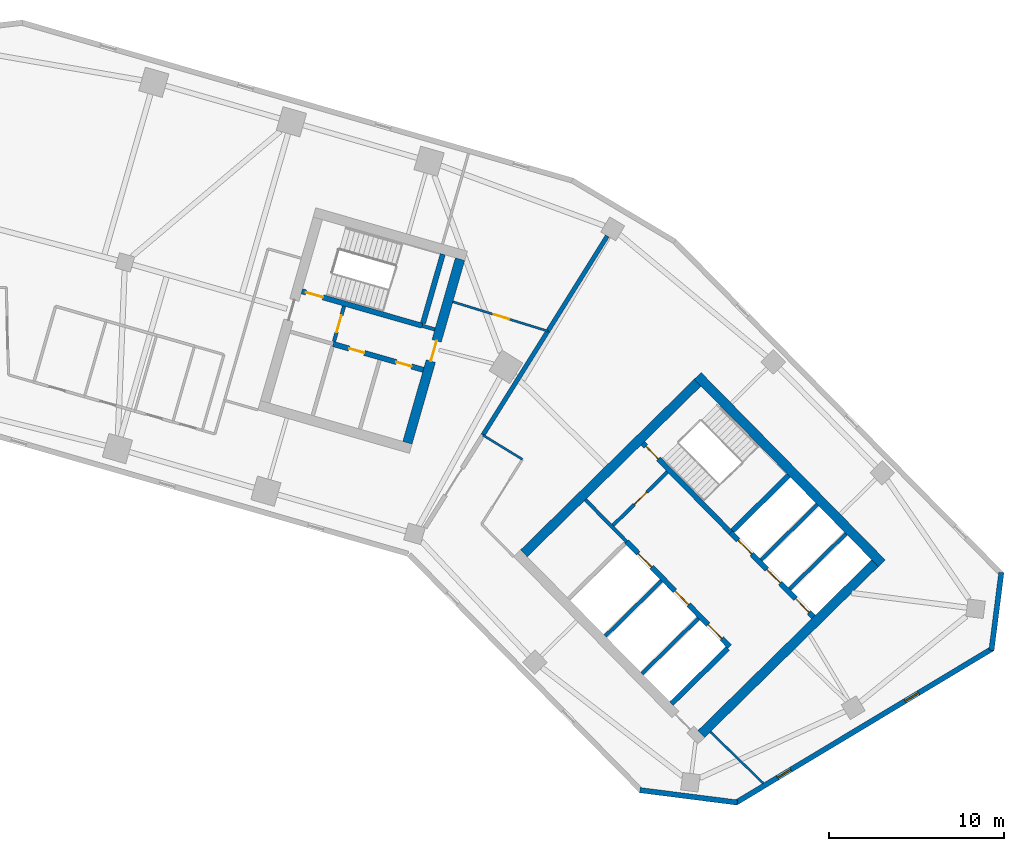
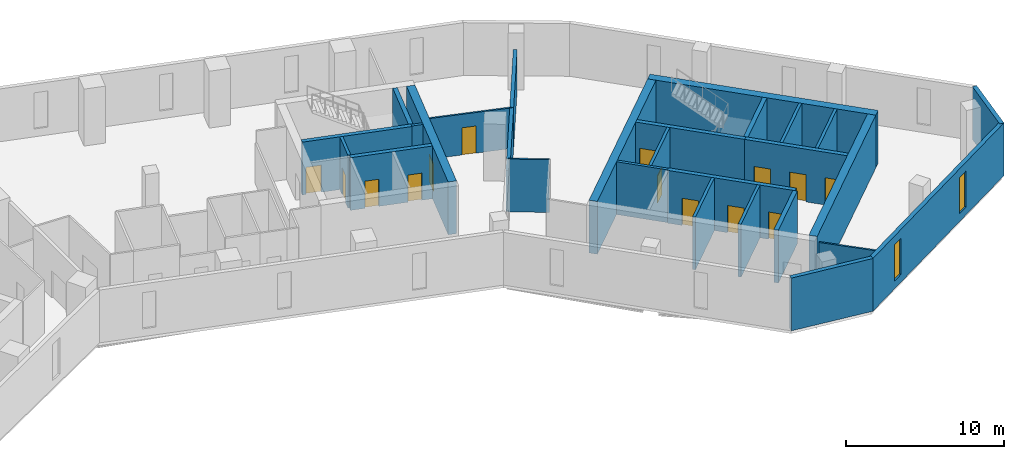
# One storey, part 6 of 10: 28 walls, 14 doors, 2 windows, 16 openings.
"""IFC4 building model written with IfcOpenShell, lengths in metres."""

from ifc_helpers import new_model, si_unit, direction, frame, frame_2d, origin, place, context, subcontext, project, spatial, rectangle, extrude, material, layer, layer_set, type_object, element, fill, save


model = new_model("IFC4")

# Units and contexts
model_context = context("Model", 3, precision=1e-05, world=origin(), true_north=direction((0.0, 1.0)))
body_context = subcontext(model_context, "Body", "Model", "MODEL_VIEW")
ifc_project = project(units=[si_unit("LENGTHUNIT", "METRE"), si_unit("AREAUNIT", "SQUARE_METRE"), si_unit("VOLUMEUNIT", "CUBIC_METRE"), si_unit("PLANEANGLEUNIT", "RADIAN"), si_unit("MASSUNIT", "GRAM", prefix="KILO")], contexts=[model_context])

# Site, building, storey
site_placement = place(None, origin())
site = spatial("IfcSite", under=ifc_project, at=site_placement, CompositionType="ELEMENT")
building_placement = place(site_placement, origin())
building = spatial("IfcBuilding", under=site, at=building_placement, Name="Binnacle Exchange Tower", CompositionType="ELEMENT")
storey_placement = place(building_placement, frame((0.0, 0.0, 127.89990234375)))
storey = spatial("IfcBuildingStorey", under=building, at=storey_placement, Name="L26", CompositionType="ELEMENT", Elevation=127.89990234375)

# Wall, openings, doors
ifc_material_1 = material(Name="Concrete C70/85", Category="concrete")
ifc_layer_1 = layer(ifc_material_1, 0.300048828125)
ifc_layer_set_1 = layer_set([ifc_layer_1], Name="Core wall - front 300")
wall_type_1 = type_object("IfcWallType", Name="Core wall - front 300", PredefinedType="SOLIDWALL", material=ifc_layer_set_1)
wall_1_placement = place(storey_placement, frame((37.8740234375, 41.41552734375, 0.0), z_axis=(0.0, 0.0, 1.0), x_axis=(0.700918271237, -0.71324159795, 0.0)))
wall_1 = element("IfcWall", 1, at=wall_1_placement, inside=storey, type_object=wall_type_1, Name="Core wall CRWB3", PredefinedType="SOLIDWALL", context=body_context, shape_type="SweptSolid", body=[
    extrude(rectangle(XDim=8.39990234375, YDim=0.300048828125, at=frame_2d((4.199951171875, 0.0))), origin(), (0.0, 0.0, 1.0), 4.080078125),
])
opening_1_placement = place(wall_1_placement, frame((0.949951171875, 0.0, 0.0)))
opening_1 = element("IfcOpeningElement", 2, at=opening_1_placement, cuts=wall_1, Name="Opening LD15", PredefinedType="OPENING", context=body_context, shape_type="SweptSolid", body=[
    extrude(rectangle(XDim=1.10009765625, YDim=2.10009765625, at=frame_2d((0.550048828125, 1.050048828125))), frame((0.0, 0.159912109375, 0.0), z_axis=(0.0, -1.0, 0.0), x_axis=(1.0, 0.0, 0.0)), (0.0, 0.0, 1.0), 0.320068359375),
])
opening_2_placement = place(wall_1_placement, frame((3.949951171875, 0.0, 0.0)))
opening_2 = element("IfcOpeningElement", 3, at=opening_2_placement, cuts=wall_1, Name="Opening LD16", PredefinedType="OPENING", context=body_context, shape_type="SweptSolid", body=[
    extrude(rectangle(XDim=1.10009765625, YDim=2.10009765625, at=frame_2d((0.550048828125, 1.050048828125))), frame((0.0, 0.159912109375, 0.0), z_axis=(0.0, -1.0, 0.0), x_axis=(1.0, 0.0, 0.0)), (0.0, 0.0, 1.0), 0.320068359375),
])
opening_3_placement = place(wall_1_placement, frame((6.64990234375, 0.0, 0.0)))
opening_3 = element("IfcOpeningElement", 4, at=opening_3_placement, cuts=wall_1, Name="Opening LD4", PredefinedType="OPENING", context=body_context, shape_type="SweptSolid", body=[
    extrude(rectangle(XDim=1.10009765625, YDim=2.10009765625, at=frame_2d((0.550048828125, 1.050048828125))), frame((0.0, 0.159912109375, 0.0), z_axis=(0.0, -1.0, 0.0), x_axis=(1.0, 0.0, 0.0)), (0.0, 0.0, 1.0), 0.320068359375),
])
ifc_material_2 = material(Name="Steel door leaf", Category="steel")
door_type_1 = type_object("IfcDoorType", Name="Fire door - lift landing 1100", OperationType="NOTDEFINED", PredefinedType="DOOR", material=ifc_material_2)
door_1_placement = place(opening_1_placement, origin())
door_1 = element("IfcDoor", 5, at=door_1_placement, inside=storey, type_object=door_type_1, Name="Landing door LD15 L26", OperationType="DOUBLE_DOOR_SLIDING", OverallHeight=2.10009765625, OverallWidth=1.10009765625, PredefinedType="DOOR", context=body_context, shape_type="SweptSolid", body=[
    extrude(rectangle(XDim=1.10009765625, YDim=2.10009765625, at=frame_2d((0.550048828125, 1.050048828125))), frame((0.0, 0.02490234375, 0.0), z_axis=(0.0, -1.0, 0.0), x_axis=(1.0, 0.0, 0.0)), (0.0, 0.0, 1.0), 0.050048828125),
])
fill(opening_1, door_1)
door_2_placement = place(opening_2_placement, origin())
door_2 = element("IfcDoor", 6, at=door_2_placement, inside=storey, type_object=door_type_1, Name="Landing door LD16 L26", OperationType="DOUBLE_DOOR_SLIDING", OverallHeight=2.10009765625, OverallWidth=1.10009765625, PredefinedType="DOOR", context=body_context, shape_type="SweptSolid", body=[
    extrude(rectangle(XDim=1.10009765625, YDim=2.10009765625, at=frame_2d((0.550048828125, 1.050048828125))), frame((0.0, 0.02490234375, 0.0), z_axis=(0.0, -1.0, 0.0), x_axis=(1.0, 0.0, 0.0)), (0.0, 0.0, 1.0), 0.050048828125),
])
fill(opening_2, door_2)
door_3_placement = place(opening_3_placement, origin())
door_3 = element("IfcDoor", 7, at=door_3_placement, inside=storey, type_object=door_type_1, Name="Landing door LD4 L26", OperationType="DOUBLE_DOOR_SLIDING", OverallHeight=2.10009765625, OverallWidth=1.10009765625, PredefinedType="DOOR", context=body_context, shape_type="SweptSolid", body=[
    extrude(rectangle(XDim=1.10009765625, YDim=2.10009765625, at=frame_2d((0.550048828125, 1.050048828125))), frame((0.0, 0.02490234375, 0.0), z_axis=(0.0, -1.0, 0.0), x_axis=(1.0, 0.0, 0.0)), (0.0, 0.0, 1.0), 0.050048828125),
])
fill(opening_3, door_3)

wall_2_placement = place(storey_placement, frame((43.818603515625, 41.92919921875, 0.0), z_axis=(0.0, 0.0, 1.0), x_axis=(0.700931209592, -0.713228882912, 0.0)))
wall_2 = element("IfcWall", 8, at=wall_2_placement, inside=storey, type_object=wall_type_1, Name="Core wall CRWB5", PredefinedType="SOLIDWALL", context=body_context, shape_type="SweptSolid", body=[
    extrude(rectangle(XDim=6.75, YDim=0.300048828125, at=frame_2d((3.375, 0.0))), origin(), (0.0, 0.0, 1.0), 4.080078125),
])
opening_4_placement = place(wall_2_placement, frame((0.614990234375, 0.0, 0.0)))
opening_4 = element("IfcOpeningElement", 9, at=opening_4_placement, cuts=wall_2, Name="Opening LD1", PredefinedType="OPENING", context=body_context, shape_type="SweptSolid", body=[
    extrude(rectangle(XDim=1.10009765625, YDim=2.10009765625, at=frame_2d((0.550048828125, 1.050048828125))), frame((0.0, 0.159912109375, 0.0), z_axis=(0.0, -1.0, 0.0), x_axis=(1.0, 0.0, 0.0)), (0.0, 0.0, 1.0), 0.320068359375),
])
opening_5_placement = place(wall_2_placement, frame((2.945068359375, 0.0, 0.0)))
opening_5 = element("IfcOpeningElement", 10, at=opening_5_placement, cuts=wall_2, Name="Opening LD2", PredefinedType="OPENING", context=body_context, shape_type="SweptSolid", body=[
    extrude(rectangle(XDim=1.10009765625, YDim=2.10009765625, at=frame_2d((0.550048828125, 1.050048828125))), frame((0.0, 0.159912109375, 0.0), z_axis=(0.0, -1.0, 0.0), x_axis=(1.0, 0.0, 0.0)), (0.0, 0.0, 1.0), 0.320068359375),
])
opening_6_placement = place(wall_2_placement, frame((5.280029296875, 0.0, 0.0)))
opening_6 = element("IfcOpeningElement", 11, at=opening_6_placement, cuts=wall_2, Name="Opening LD3", PredefinedType="OPENING", context=body_context, shape_type="SweptSolid", body=[
    extrude(rectangle(XDim=1.10009765625, YDim=2.10009765625, at=frame_2d((0.550048828125, 1.050048828125))), frame((0.0, 0.159912109375, 0.0), z_axis=(0.0, -1.0, 0.0), x_axis=(1.0, 0.0, 0.0)), (0.0, 0.0, 1.0), 0.320068359375),
])
door_4_placement = place(opening_4_placement, origin())
door_4 = element("IfcDoor", 12, at=door_4_placement, inside=storey, type_object=door_type_1, Name="Landing door LD1 L26", OperationType="DOUBLE_DOOR_SLIDING", OverallHeight=2.10009765625, OverallWidth=1.10009765625, PredefinedType="DOOR", context=body_context, shape_type="SweptSolid", body=[
    extrude(rectangle(XDim=1.10009765625, YDim=2.10009765625, at=frame_2d((0.550048828125, 1.050048828125))), frame((0.0, 0.02490234375, 0.0), z_axis=(0.0, -1.0, 0.0), x_axis=(1.0, 0.0, 0.0)), (0.0, 0.0, 1.0), 0.050048828125),
])
fill(opening_4, door_4)
door_5_placement = place(opening_5_placement, origin())
door_5 = element("IfcDoor", 13, at=door_5_placement, inside=storey, type_object=door_type_1, Name="Landing door LD2 L26", OperationType="DOUBLE_DOOR_SLIDING", OverallHeight=2.10009765625, OverallWidth=1.10009765625, PredefinedType="DOOR", context=body_context, shape_type="SweptSolid", body=[
    extrude(rectangle(XDim=1.10009765625, YDim=2.10009765625, at=frame_2d((0.550048828125, 1.050048828125))), frame((0.0, 0.02490234375, 0.0), z_axis=(0.0, -1.0, 0.0), x_axis=(1.0, 0.0, 0.0)), (0.0, 0.0, 1.0), 0.050048828125),
])
fill(opening_5, door_5)
door_6_placement = place(opening_6_placement, origin())
door_6 = element("IfcDoor", 14, at=door_6_placement, inside=storey, type_object=door_type_1, Name="Landing door LD3 L26", OperationType="DOUBLE_DOOR_SLIDING", OverallHeight=2.10009765625, OverallWidth=1.10009765625, PredefinedType="DOOR", context=body_context, shape_type="SweptSolid", body=[
    extrude(rectangle(XDim=1.10009765625, YDim=2.10009765625, at=frame_2d((0.550048828125, 1.050048828125))), frame((0.0, 0.02490234375, 0.0), z_axis=(0.0, -1.0, 0.0), x_axis=(1.0, 0.0, 0.0)), (0.0, 0.0, 1.0), 0.050048828125),
])
fill(opening_6, door_6)

# Wall
wall_3_placement = place(storey_placement, frame((40.445068359375, 32.1650390625, 0.0), z_axis=(0.0, 0.0, 1.0), x_axis=(0.713264577552, 0.700894886848, 0.0)))
element("IfcWall", 15, at=wall_3_placement, inside=storey, type_object=wall_type_1, Name="Core wall CRWB14", PredefinedType="SOLIDWALL", context=body_context, shape_type="SweptSolid", body=[
    extrude(rectangle(XDim=4.5, YDim=0.300048828125, at=frame_2d((2.25, 0.0))), origin(), (0.0, 0.0, 1.0), 4.080078125),
])

# Wall, openings, doors
wall_4_placement = place(storey_placement, frame((21.130859375, 52.6923828125, 0.0), z_axis=(0.0, 0.0, 1.0), x_axis=(0.961265220997, -0.27562506218, 0.0)))
wall_4 = element("IfcWall", 16, at=wall_4_placement, inside=storey, type_object=wall_type_1, Name="Core wall CRWD3", PredefinedType="SOLIDWALL", context=body_context, shape_type="SweptSolid", body=[
    extrude(rectangle(XDim=5.35009765625, YDim=0.300048828125, at=frame_2d((2.675048828125, 0.0))), origin(), (0.0, 0.0, 1.0), 4.080078125),
])
opening_7_placement = place(wall_4_placement, frame((0.949951171875, 0.0, 0.0)))
opening_7 = element("IfcOpeningElement", 17, at=opening_7_placement, cuts=wall_4, Name="Opening DD10", PredefinedType="OPENING", context=body_context, shape_type="SweptSolid", body=[
    extrude(rectangle(XDim=0.89990234375, YDim=2.10009765625, at=frame_2d((0.449951171875, 1.050048828125))), frame((0.0, 0.159912109375, 0.0), z_axis=(0.0, -1.0, 0.0), x_axis=(1.0, 0.0, 0.0)), (0.0, 0.0, 1.0), 0.320068359375),
])
opening_8_placement = place(wall_4_placement, frame((3.75, 0.0, 0.0)))
opening_8 = element("IfcOpeningElement", 18, at=opening_8_placement, cuts=wall_4, Name="Opening DD11", PredefinedType="OPENING", context=body_context, shape_type="SweptSolid", body=[
    extrude(rectangle(XDim=0.89990234375, YDim=2.10009765625, at=frame_2d((0.449951171875, 1.050048828125))), frame((0.0, 0.159912109375, 0.0), z_axis=(0.0, -1.0, 0.0), x_axis=(1.0, 0.0, 0.0)), (0.0, 0.0, 1.0), 0.320068359375),
])
door_type_2 = type_object("IfcDoorType", Name="Fire door 900", OperationType="NOTDEFINED", PredefinedType="DOOR", material=ifc_material_2)
door_7_placement = place(opening_7_placement, frame((0.89990234375, 0.0, 0.0), z_axis=(0.0, 0.0, 1.0), x_axis=(-1.0, 0.0, 0.0)))
door_7 = element("IfcDoor", 19, at=door_7_placement, inside=storey, type_object=door_type_2, Name="Core room door FIBRE ENTRY ROOM", OperationType="SINGLE_SWING_RIGHT", OverallHeight=2.10009765625, OverallWidth=0.89990234375, PredefinedType="DOOR", context=body_context, shape_type="SweptSolid", body=[
    extrude(rectangle(XDim=0.89990234375, YDim=2.10009765625, at=frame_2d((0.449951171875, 1.050048828125))), frame((0.0, 0.02490234375, 0.0), z_axis=(0.0, -1.0, 0.0), x_axis=(1.0, 0.0, 0.0)), (0.0, 0.0, 1.0), 0.050048828125),
])
fill(opening_7, door_7)
door_8_placement = place(opening_8_placement, frame((0.89990234375, 0.0, 0.0), z_axis=(0.0, 0.0, 1.0), x_axis=(-1.0, 0.0, 0.0)))
door_8 = element("IfcDoor", 20, at=door_8_placement, inside=storey, type_object=door_type_2, Name="Core room door ELECTRICAL ROOM", OperationType="SINGLE_SWING_LEFT", OverallHeight=2.10009765625, OverallWidth=0.89990234375, PredefinedType="DOOR", context=body_context, shape_type="SweptSolid", body=[
    extrude(rectangle(XDim=0.89990234375, YDim=2.10009765625, at=frame_2d((0.449951171875, 1.050048828125))), frame((0.0, 0.02490234375, 0.0), z_axis=(0.0, -1.0, 0.0), x_axis=(1.0, 0.0, 0.0)), (0.0, 0.0, 1.0), 0.050048828125),
])
fill(opening_8, door_8)

# Walls
ifc_layer_2 = layer(ifc_material_1, 0.550048828125)
ifc_layer_set_2 = layer_set([ifc_layer_2], Name="Core wall - outer 550")
wall_type_2 = type_object("IfcWallType", Name="Core wall - outer 550", PredefinedType="SOLIDWALL", material=ifc_layer_set_2)
wall_5_placement = place(storey_placement, frame((41.934326171875, 50.873291015625, 0.0), z_axis=(0.0, 0.0, 1.0), x_axis=(0.700911255944, -0.713248491965, 0.0)))
element("IfcWall", 21, at=wall_5_placement, inside=storey, type_object=wall_type_2, Name="Core wall CRWB6", PredefinedType="SOLIDWALL", context=body_context, shape_type="SweptSolid", body=[
    extrude(rectangle(XDim=15.0, YDim=0.550048828125, at=frame_2d((7.5, 0.0))), origin(), (0.0, 0.0, 1.0), 4.080078125),
])
for number, where, z_axis, x_axis, name in (
    (22, (32.0166015625, 40.74169921875, 0.0), (0.0, 0.0, 1.0), (0.713253550094, 0.700906108746, 0.0), "Core wall CRWB7"),
    (23, (42.144775390625, 30.435302734375, 0.0), (0.0, 0.0, 1.0), (0.713253550094, 0.700906108746, 0.0), "Core wall CRWB16"),
):
    element("IfcWall", number, at=place(storey_placement, frame(where, z_axis=z_axis, x_axis=x_axis)), inside=storey, type_object=wall_type_2, Name=name, PredefinedType="SOLIDWALL", context=body_context, shape_type="SweptSolid", body=[
        extrude(rectangle(XDim=13.900146484375, YDim=0.550048828125, at=frame_2d((6.9501953125, 0.0))), origin(), (0.0, 0.0, 1.0), 4.080078125),
    ])

# Wall, opening, door
wall_6_placement = place(storey_placement, frame((25.366455078125, 47.056640625, 0.0), z_axis=(0.0, 0.0, 1.0), x_axis=(0.275632146085, 0.96126318979, 0.0)))
wall_6 = element("IfcWall", 24, at=wall_6_placement, inside=storey, type_object=wall_type_2, Name="Core wall CRWD12", PredefinedType="SOLIDWALL", context=body_context, shape_type="SweptSolid", body=[
    extrude(rectangle(XDim=10.89990234375, YDim=0.550048828125, at=frame_2d((5.449951171875, 0.0))), origin(), (0.0, 0.0, 1.0), 4.080078125),
])
opening_9_placement = place(wall_6_placement, frame((4.849853515625, 0.0, 0.0)))
opening_9 = element("IfcOpeningElement", 25, at=opening_9_placement, cuts=wall_6, Name="Opening DD6", PredefinedType="OPENING", context=body_context, shape_type="SweptSolid", body=[
    extrude(rectangle(XDim=1.199951171875, YDim=2.10009765625, at=frame_2d((0.60009765625, 1.050048828125))), frame((0.0, 0.284912109375, 0.0), z_axis=(0.0, -1.0, 0.0), x_axis=(1.0, 0.0, 0.0)), (0.0, 0.0, 1.0), 0.570068359375),
])
door_type_3 = type_object("IfcDoorType", Name="Fire door 1200", OperationType="NOTDEFINED", PredefinedType="DOOR", material=ifc_material_2)
door_9_placement = place(opening_9_placement, frame((1.199951171875, 0.0, 0.0), z_axis=(0.0, 0.0, 1.0), x_axis=(-1.0, 0.0, 0.0)))
door_9 = element("IfcDoor", 26, at=door_9_placement, inside=storey, type_object=door_type_3, Name="Core passage exit door", OperationType="SINGLE_SWING_RIGHT", OverallHeight=2.10009765625, OverallWidth=1.199951171875, PredefinedType="DOOR", context=body_context, shape_type="SweptSolid", body=[
    extrude(rectangle(XDim=1.199951171875, YDim=2.10009765625, at=frame_2d((0.60009765625, 1.050048828125))), frame((0.0, 0.02490234375, 0.0), z_axis=(0.0, -1.0, 0.0), x_axis=(1.0, 0.0, 0.0)), (0.0, 0.0, 1.0), 0.050048828125),
])
fill(opening_9, door_9)

ifc_layer_3 = layer(ifc_material_1, 0.300048828125)
ifc_layer_set_3 = layer_set([ifc_layer_3], Name="Core wall - stair 300")
wall_type_3 = type_object("IfcWallType", Name="Core wall - stair 300", PredefinedType="SOLIDWALL", material=ifc_layer_set_3)
wall_7_placement = place(storey_placement, frame((38.806884765625, 47.029052734375, 0.0), z_axis=(0.0, 0.0, 1.0), x_axis=(0.700916852778, -0.713242991898, 0.0)))
wall_7 = element("IfcWall", 27, at=wall_7_placement, inside=storey, type_object=wall_type_3, Name="Core wall CRWB4", PredefinedType="SOLIDWALL", context=body_context, shape_type="SweptSolid", body=[
    extrude(rectangle(XDim=7.150146484375, YDim=0.300048828125, at=frame_2d((3.5751953125, 0.0))), origin(), (0.0, 0.0, 1.0), 4.080078125),
])
opening_10_placement = place(wall_7_placement, frame((0.25, 0.0, 0.0)))
opening_10 = element("IfcOpeningElement", 28, at=opening_10_placement, cuts=wall_7, Name="Opening DB1", PredefinedType="OPENING", context=body_context, shape_type="SweptSolid", body=[
    extrude(rectangle(XDim=1.0, YDim=2.10009765625, at=frame_2d((0.5, 1.050048828125))), frame((0.0, 0.159912109375, 0.0), z_axis=(0.0, -1.0, 0.0), x_axis=(1.0, 0.0, 0.0)), (0.0, 0.0, 1.0), 0.320068359375),
])
door_type_4 = type_object("IfcDoorType", Name="Fire door 1000", OperationType="NOTDEFINED", PredefinedType="DOOR", material=ifc_material_2)
door_10_placement = place(opening_10_placement, origin())
door_10 = element("IfcDoor", 29, at=door_10_placement, inside=storey, type_object=door_type_4, Name="Stair door ST-B1", OperationType="SINGLE_SWING_LEFT", OverallHeight=2.10009765625, OverallWidth=1.0, PredefinedType="DOOR", context=body_context, shape_type="SweptSolid", body=[
    extrude(rectangle(XDim=1.0, YDim=2.10009765625, at=frame_2d((0.5, 1.050048828125))), frame((0.0, 0.02490234375, 0.0), z_axis=(0.0, -1.0, 0.0), x_axis=(1.0, 0.0, 0.0)), (0.0, 0.0, 1.0), 0.050048828125),
])
fill(opening_10, door_10)

# Wall
wall_8_placement = place(storey_placement, frame((43.925537109375, 42.034423828125, 0.0), z_axis=(0.0, 0.0, 1.0), x_axis=(0.713210801054, 0.700949608217, 0.0)))
element("IfcWall", 30, at=wall_8_placement, inside=storey, type_object=wall_type_3, Name="Core wall CRWB11", PredefinedType="SOLIDWALL", context=body_context, shape_type="SweptSolid", body=[
    extrude(rectangle(XDim=4.5, YDim=0.300048828125, at=frame_2d((2.25, 0.0))), origin(), (0.0, 0.0, 1.0), 4.080078125),
])

# Wall, opening, door
wall_9_placement = place(storey_placement, frame((19.34130859375, 55.702392578125, 0.0), z_axis=(0.0, 0.0, 1.0), x_axis=(0.961263228157, -0.27563201228, 0.0)))
wall_9 = element("IfcWall", 31, at=wall_9_placement, inside=storey, type_object=wall_type_3, Name="Core wall CRWD4", PredefinedType="SOLIDWALL", context=body_context, shape_type="SweptSolid", body=[
    extrude(rectangle(XDim=7.149658203125, YDim=0.300048828125, at=frame_2d((3.57470703125, 0.0))), origin(), (0.0, 0.0, 1.0), 4.080078125),
])
opening_11_placement = place(wall_9_placement, frame((0.25, 0.0, 0.0)))
opening_11 = element("IfcOpeningElement", 32, at=opening_11_placement, cuts=wall_9, Name="Opening DD1", PredefinedType="OPENING", context=body_context, shape_type="SweptSolid", body=[
    extrude(rectangle(XDim=1.0, YDim=2.10009765625, at=frame_2d((0.5, 1.050048828125))), frame((0.0, 0.159912109375, 0.0), z_axis=(0.0, -1.0, 0.0), x_axis=(1.0, 0.0, 0.0)), (0.0, 0.0, 1.0), 0.320068359375),
])
door_11_placement = place(opening_11_placement, origin())
door_11 = element("IfcDoor", 33, at=door_11_placement, inside=storey, type_object=door_type_4, Name="Stair door ST-D1", OperationType="SINGLE_SWING_LEFT", OverallHeight=2.10009765625, OverallWidth=1.0, PredefinedType="DOOR", context=body_context, shape_type="SweptSolid", body=[
    extrude(rectangle(XDim=1.0, YDim=2.10009765625, at=frame_2d((0.5, 1.050048828125))), frame((0.0, 0.02490234375, 0.0), z_axis=(0.0, -1.0, 0.0), x_axis=(1.0, 0.0, 0.0)), (0.0, 0.0, 1.0), 0.050048828125),
])
fill(opening_11, door_11)

# Walls
wall_10_placement = place(storey_placement, frame((26.255615234375, 53.875732421875, 0.0), z_axis=(0.0, 0.0, 1.0), x_axis=(0.275641165445, 0.961260603537, 0.0)))
element("IfcWall", 34, at=wall_10_placement, inside=storey, type_object=wall_type_3, Name="Core wall CRWD11", PredefinedType="SOLIDWALL", context=body_context, shape_type="SweptSolid", body=[
    extrude(rectangle(XDim=4.10009765625, YDim=0.300048828125, at=frame_2d((2.050048828125, 0.0))), origin(), (0.0, 0.0, 1.0), 4.080078125),
])
ifc_material_3 = material(Name="Bronze aluminium cladding", Category="aluminium")
ifc_layer_4 = layer(ifc_material_3, 0.300048828125)
ifc_layer_set_4 = layer_set([ifc_layer_4], Name="External wall - spandrel 300")
wall_type_4 = type_object("IfcWallType", Name="External wall - spandrel 300", PredefinedType="STANDARD", material=ifc_layer_set_4)
wall_11_placement = place(storey_placement, frame((44.19580078125, 26.517822265625, 0.0), z_axis=(0.0, 0.0, 1.0), x_axis=(-0.992001881269, 0.126223086474, 0.0)))
element("IfcWall", 35, at=wall_11_placement, inside=storey, type_object=wall_type_4, Name="External wall EW-F10 L26", PredefinedType="STANDARD", context=body_context, shape_type="SweptSolid", body=[
    extrude(rectangle(XDim=5.6015625, YDim=0.300048828125, at=frame_2d((2.80078125, 0.0))), origin(), (0.0, 0.0, 1.0), 4.080078125),
])

# Wall, openings, windows
wall_12_placement = place(storey_placement, frame((58.7783203125, 35.317626953125, 0.0), z_axis=(0.0, 0.0, 1.0), x_axis=(-0.857168206138, -0.515036568009, 0.0)))
wall_12 = element("IfcWall", 36, at=wall_12_placement, inside=storey, type_object=wall_type_4, Name="External wall EW-F11 L26", PredefinedType="STANDARD", context=body_context, shape_type="SweptSolid", body=[
    extrude(rectangle(XDim=17.124755859375, YDim=0.300048828125, at=frame_2d((8.5625, 0.0))), origin(), (0.0, 0.0, 1.0), 4.080078125),
])
opening_12_placement = place(wall_12_placement, frame((13.435302734375, 0.0, 0.60009765625)))
opening_12 = element("IfcOpeningElement", 37, at=opening_12_placement, cuts=wall_12, Name="Opening WS2", PredefinedType="OPENING", context=body_context, shape_type="SweptSolid", body=[
    extrude(rectangle(XDim=0.89990234375, YDim=2.800048828125, at=frame_2d((0.449951171875, 1.39990234375))), frame((0.0, 0.159912109375, 0.0), z_axis=(0.0, -1.0, 0.0), x_axis=(1.0, 0.0, 0.0)), (0.0, 0.0, 1.0), 0.320068359375),
])
opening_13_placement = place(wall_12_placement, frame((4.935302734375, 0.0, 0.60009765625)))
opening_13 = element("IfcOpeningElement", 38, at=opening_13_placement, cuts=wall_12, Name="Opening WS2", PredefinedType="OPENING", context=body_context, shape_type="SweptSolid", body=[
    extrude(rectangle(XDim=0.89990234375, YDim=2.800048828125, at=frame_2d((0.449951171875, 1.39990234375))), frame((0.0, 0.159912109375, 0.0), z_axis=(0.0, -1.0, 0.0), x_axis=(1.0, 0.0, 0.0)), (0.0, 0.0, 1.0), 0.320068359375),
])
ifc_material_4 = material(Name="Bronze anodised aluminium frame", Category="aluminium")
window_type = type_object("IfcWindowType", Name="WS2 WINDOW 900x2800", PartitioningType="SINGLE_PANEL", PredefinedType="WINDOW", material=ifc_material_4)
window_1_placement = place(opening_12_placement, origin())
window_1 = element("IfcWindow", 39, at=window_1_placement, inside=storey, type_object=window_type, Name="Window WS2 L26", OverallHeight=2.800048828125, OverallWidth=0.89990234375, PartitioningType="SINGLE_PANEL", PredefinedType="WINDOW", context=body_context, shape_type="SweptSolid", body=[
    extrude(rectangle(XDim=0.89990234375, YDim=2.800048828125, at=frame_2d((0.449951171875, 1.39990234375))), frame((0.0, 0.030029296875, 0.0), z_axis=(0.0, -1.0, 0.0), x_axis=(1.0, 0.0, 0.0)), (0.0, 0.0, 1.0), 0.06005859375),
])
fill(opening_12, window_1)
window_2_placement = place(opening_13_placement, origin())
window_2 = element("IfcWindow", 40, at=window_2_placement, inside=storey, type_object=window_type, Name="Window WS2 L26", OverallHeight=2.800048828125, OverallWidth=0.89990234375, PartitioningType="SINGLE_PANEL", PredefinedType="WINDOW", context=body_context, shape_type="SweptSolid", body=[
    extrude(rectangle(XDim=0.89990234375, YDim=2.800048828125, at=frame_2d((0.449951171875, 1.39990234375))), frame((0.0, 0.030029296875, 0.0), z_axis=(0.0, -1.0, 0.0), x_axis=(1.0, 0.0, 0.0)), (0.0, 0.0, 1.0), 0.06005859375),
])
fill(opening_13, window_2)

# Walls
wall_13_placement = place(storey_placement, frame((59.27197265625, 39.6513671875, 0.0), z_axis=(0.0, 0.0, 1.0), x_axis=(-0.126181137886, -0.992007217938, 0.0)))
element("IfcWall", 41, at=wall_13_placement, inside=storey, type_object=wall_type_4, Name="External wall EW-F12 L26", PredefinedType="STANDARD", context=body_context, shape_type="SweptSolid", body=[
    extrude(rectangle(XDim=4.479248046875, YDim=0.300048828125, at=frame_2d((2.23974609375, 0.0))), origin(), (0.0, 0.0, 1.0), 4.080078125),
])
ifc_material_5 = material(Name="Concrete fire wall C30/37", Category="concrete")
ifc_layer_5 = layer(ifc_material_5, 0.25)
ifc_layer_set_5 = layer_set([ifc_layer_5], Name="Fire wall - compartment 250")
wall_type_5 = type_object("IfcWallType", Name="Fire wall - compartment 250", PredefinedType="PARTITIONING", material=ifc_layer_set_5)
wall_14_placement = place(storey_placement, frame((29.675048828125, 47.490966796875, 0.0), z_axis=(0.0, 0.0, 1.0), x_axis=(0.529992669945, 0.848002222759, 0.0)))
element("IfcWall", 42, at=wall_14_placement, inside=storey, type_object=wall_type_5, Name="Fire Wall W38", PredefinedType="PARTITIONING", context=body_context, shape_type="SweptSolid", body=[
    extrude(rectangle(XDim=7.0, YDim=0.25, at=frame_2d((3.5, 0.0))), origin(), (0.0, 0.0, 1.0), 3.14208984375),
])
wall_15_placement = place(storey_placement, frame((33.385009765625, 53.427001953125, 0.0), z_axis=(0.0, 0.0, 1.0), x_axis=(0.52989620904, 0.848062502204, 0.0)))
element("IfcWall", 43, at=wall_15_placement, inside=storey, type_object=wall_type_5, Name="Fire Wall W39", PredefinedType="PARTITIONING", context=body_context, shape_type="SweptSolid", body=[
    extrude(rectangle(XDim=6.40869140625, YDim=0.25, at=frame_2d((3.204345703125, 0.0))), origin(), (0.0, 0.0, 1.0), 3.14208984375),
])

# Wall, opening, door
ifc_material_6 = material(Name="Masonry block wall", Category="masonry")
ifc_layer_6 = layer(ifc_material_6, 0.199951171875)
ifc_layer_set_6 = layer_set([ifc_layer_6], Name="Fire wall - vestibule 200")
wall_type_6 = type_object("IfcWallType", Name="Fire wall - vestibule 200", PredefinedType="PARTITIONING", material=ifc_layer_set_6)
wall_16_placement = place(storey_placement, frame((37.104248046875, 42.341552734375, 0.0), z_axis=(0.0, 0.0, 1.0), x_axis=(0.713281298468, 0.700877870428, 0.0)))
wall_16 = element("IfcWall", 44, at=wall_16_placement, inside=storey, type_object=wall_type_6, Name="Core wall CRWB8", PredefinedType="PARTITIONING", context=body_context, shape_type="SweptSolid", body=[
    extrude(rectangle(XDim=4.35009765625, YDim=0.199951171875, at=frame_2d((2.175048828125, 0.0))), origin(), (0.0, 0.0, 1.0), 4.080078125),
])
opening_14_placement = place(wall_16_placement, frame((1.699951171875, 0.0, 0.0)))
opening_14 = element("IfcOpeningElement", 45, at=opening_14_placement, cuts=wall_16, Name="Opening DB3", PredefinedType="OPENING", context=body_context, shape_type="SweptSolid", body=[
    extrude(rectangle(XDim=1.0, YDim=2.10009765625, at=frame_2d((0.5, 1.050048828125))), frame((0.0, 0.10986328125, 0.0), z_axis=(0.0, -1.0, 0.0), x_axis=(1.0, 0.0, 0.0)), (0.0, 0.0, 1.0), 0.219970703125),
])
door_12_placement = place(opening_14_placement, origin())
door_12 = element("IfcDoor", 46, at=door_12_placement, inside=storey, type_object=door_type_4, Name="Vestibule door VEST-W", OperationType="SINGLE_SWING_RIGHT", OverallHeight=2.10009765625, OverallWidth=1.0, PredefinedType="DOOR", context=body_context, shape_type="SweptSolid", body=[
    extrude(rectangle(XDim=1.0, YDim=2.10009765625, at=frame_2d((0.5, 1.050048828125))), frame((0.0, 0.02490234375, 0.0), z_axis=(0.0, -1.0, 0.0), x_axis=(1.0, 0.0, 0.0)), (0.0, 0.0, 1.0), 0.050048828125),
])
fill(opening_14, door_12)

wall_17_placement = place(storey_placement, frame((21.172119140625, 52.836669921875, 0.0), z_axis=(0.0, 0.0, 1.0), x_axis=(0.275657676022, 0.961255868981, 0.0)))
wall_17 = element("IfcWall", 47, at=wall_17_placement, inside=storey, type_object=wall_type_6, Name="Core wall CRWD9", PredefinedType="PARTITIONING", context=body_context, shape_type="SweptSolid", body=[
    extrude(rectangle(XDim=2.099853515625, YDim=0.199951171875, at=frame_2d((1.0498046875, 0.0))), origin(), (0.0, 0.0, 1.0), 4.080078125),
])
opening_15_placement = place(wall_17_placement, frame((0.550048828125, 0.0, 0.0)))
opening_15 = element("IfcOpeningElement", 48, at=opening_15_placement, cuts=wall_17, Name="Opening DD3", PredefinedType="OPENING", context=body_context, shape_type="SweptSolid", body=[
    extrude(rectangle(XDim=1.0, YDim=2.10009765625, at=frame_2d((0.5, 1.050048828125))), frame((0.0, 0.10986328125, 0.0), z_axis=(0.0, -1.0, 0.0), x_axis=(1.0, 0.0, 0.0)), (0.0, 0.0, 1.0), 0.219970703125),
])
door_13_placement = place(opening_15_placement, origin())
door_13 = element("IfcDoor", 49, at=door_13_placement, inside=storey, type_object=door_type_4, Name="Vestibule door VEST-W", OperationType="SINGLE_SWING_RIGHT", OverallHeight=2.10009765625, OverallWidth=1.0, PredefinedType="DOOR", context=body_context, shape_type="SweptSolid", body=[
    extrude(rectangle(XDim=1.0, YDim=2.10009765625, at=frame_2d((0.5, 1.050048828125))), frame((0.0, 0.02490234375, 0.0), z_axis=(0.0, -1.0, 0.0), x_axis=(1.0, 0.0, 0.0)), (0.0, 0.0, 1.0), 0.050048828125),
])
fill(opening_15, door_13)

ifc_material_7 = material(Name="Gypsum partition")
ifc_layer_7 = layer(ifc_material_7, 0.125)
ifc_layer_set_7 = layer_set([ifc_layer_7], Name="Partition 125")
wall_type_7 = type_object("IfcWallType", Name="Partition 125", PredefinedType="PARTITIONING", material=ifc_layer_set_7)
wall_18_placement = place(storey_placement, frame((27.9599609375, 55.10302734375, 0.0), z_axis=(0.0, 0.0, 1.0), x_axis=(0.955442775069, -0.29517639399, 0.0)))
wall_18 = element("IfcWall", 50, at=wall_18_placement, inside=storey, type_object=wall_type_7, Name="Partition W34", PredefinedType="PARTITIONING", context=body_context, shape_type="SweptSolid", body=[
    extrude(rectangle(XDim=5.677978515625, YDim=0.125, at=frame_2d((2.8388671875, 0.0))), origin(), (0.0, 0.0, 1.0), 3.14208984375),
])
opening_16_placement = place(wall_18_placement, frame((2.449951171875, 0.0, 0.0)))
opening_16 = element("IfcOpeningElement", 51, at=opening_16_placement, cuts=wall_18, Name="Opening DL25-08", PredefinedType="OPENING", context=body_context, shape_type="SweptSolid", body=[
    extrude(rectangle(XDim=0.89990234375, YDim=2.10009765625, at=frame_2d((0.449951171875, 1.050048828125))), frame((0.0, 0.072509765625, 0.0), z_axis=(0.0, -1.0, 0.0), x_axis=(1.0, 0.0, 0.0)), (0.0, 0.0, 1.0), 0.14501953125),
])
ifc_material_8 = material(Name="Timber door leaf", Category="wood")
door_type_5 = type_object("IfcDoorType", Name="Door 900", OperationType="NOTDEFINED", PredefinedType="DOOR", material=ifc_material_8)
door_14_placement = place(opening_16_placement, origin())
door_14 = element("IfcDoor", 52, at=door_14_placement, inside=storey, type_object=door_type_5, Name="Door DL25-08", OperationType="SINGLE_SWING_RIGHT", OverallHeight=2.10009765625, OverallWidth=0.89990234375, PredefinedType="DOOR", context=body_context, shape_type="SweptSolid", body=[
    extrude(rectangle(XDim=0.89990234375, YDim=2.10009765625, at=frame_2d((0.449951171875, 1.050048828125))), frame((0.0, 0.02490234375, 0.0), z_axis=(0.0, -1.0, 0.0), x_axis=(1.0, 0.0, 0.0)), (0.0, 0.0, 1.0), 0.050048828125),
])
fill(opening_16, door_14)

# Walls
wall_19_placement = place(storey_placement, frame((29.675048828125, 47.490966796875, 0.0), z_axis=(0.0, 0.0, 1.0), x_axis=(0.852591965232, -0.522577210392, 0.0)))
element("IfcWall", 53, at=wall_19_placement, inside=storey, type_object=wall_type_7, Name="Partition W37", PredefinedType="PARTITIONING", context=body_context, shape_type="SweptSolid", body=[
    extrude(rectangle(XDim=2.644775390625, YDim=0.125, at=frame_2d((1.322265625, 0.0))), origin(), (0.0, 0.0, 1.0), 4.080078125),
])
wall_20_placement = place(storey_placement, frame((42.658935546875, 30.554931640625, 0.0), z_axis=(0.0, 0.0, 1.0), x_axis=(0.716925671772, -0.697149611743, 0.0)))
element("IfcWall", 54, at=wall_20_placement, inside=storey, type_object=wall_type_7, Name="Partition W40", PredefinedType="PARTITIONING", context=body_context, shape_type="SweptSolid", body=[
    extrude(rectangle(XDim=4.209716796875, YDim=0.125, at=frame_2d((2.10498046875, 0.0))), origin(), (0.0, 0.0, 1.0), 3.35205078125),
])
ifc_layer_8 = layer(ifc_material_6, 0.199951171875)
ifc_layer_set_8 = layer_set([ifc_layer_8], Name="Riser wall 200")
wall_type_8 = type_object("IfcWallType", Name="Riser wall 200", PredefinedType="SOLIDWALL", material=ifc_layer_set_8)
wall_21_placement = place(storey_placement, frame((35.526123046875, 43.804931640625, 0.0), z_axis=(0.0, 0.0, 1.0), x_axis=(0.700884863746, -0.713274426691, 0.0)))
element("IfcWall", 55, at=wall_21_placement, inside=storey, type_object=wall_type_8, Name="Core wall CRWB2", PredefinedType="SOLIDWALL", context=body_context, shape_type="SweptSolid", body=[
    extrude(rectangle(XDim=3.349853515625, YDim=0.199951171875, at=frame_2d((1.6748046875, 0.0))), origin(), (0.0, 0.0, 1.0), 4.080078125),
])
wall_22_placement = place(storey_placement, frame((26.214111328125, 53.731689453125, 0.0), z_axis=(0.0, 0.0, 1.0), x_axis=(0.961240918172, -0.275709806194, 0.0)))
element("IfcWall", 56, at=wall_22_placement, inside=storey, type_object=wall_type_8, Name="Core wall CRWD5", PredefinedType="SOLIDWALL", context=body_context, shape_type="SweptSolid", body=[
    extrude(rectangle(XDim=0.75, YDim=0.199951171875, at=frame_2d((0.375, 0.0))), origin(), (0.0, 0.0, 1.0), 4.080078125),
])
ifc_layer_9 = layer(ifc_material_6, 0.199951171875)
ifc_layer_set_9 = layer_set([ifc_layer_9], Name="Shaft wall 200")
wall_type_9 = type_object("IfcWallType", Name="Shaft wall 200", PredefinedType="SOLIDWALL", material=ifc_layer_set_9)
wall_23_placement = place(storey_placement, frame((36.66015625, 36.0166015625, 0.0), z_axis=(0.0, 0.0, 1.0), x_axis=(0.713264577552, 0.700894886848, 0.0)))
element("IfcWall", 57, at=wall_23_placement, inside=storey, type_object=wall_type_9, Name="Core wall CRWB10", PredefinedType="SOLIDWALL", context=body_context, shape_type="SweptSolid", body=[
    extrude(rectangle(XDim=4.5, YDim=0.199951171875, at=frame_2d((2.25, 0.0))), origin(), (0.0, 0.0, 1.0), 4.080078125),
])
wall_24_placement = place(storey_placement, frame((38.762939453125, 33.876708984375, 0.0), z_axis=(0.0, 0.0, 1.0), x_axis=(0.713237455685, 0.700922486305, 0.0)))
element("IfcWall", 58, at=wall_24_placement, inside=storey, type_object=wall_type_9, Name="Core wall CRWB12", PredefinedType="SOLIDWALL", context=body_context, shape_type="SweptSolid", body=[
    extrude(rectangle(XDim=4.500244140625, YDim=0.199951171875, at=frame_2d((2.25, 0.0))), origin(), (0.0, 0.0, 1.0), 4.080078125),
])
for number, where, z_axis, x_axis, name in (
    (59, (45.55859375, 40.37255859375, 0.0), (0.0, 0.0, 1.0), (0.713264577552, 0.700894886848, 0.0), "Core wall CRWB13"),
    (60, (47.191650390625, 38.710693359375, 0.0), (0.0, 0.0, 1.0), (0.713264577552, 0.700894886848, 0.0), "Core wall CRWB15"),
):
    element("IfcWall", number, at=place(storey_placement, frame(where, z_axis=z_axis, x_axis=x_axis)), inside=storey, type_object=wall_type_9, Name=name, PredefinedType="SOLIDWALL", context=body_context, shape_type="SweptSolid", body=[
        extrude(rectangle(XDim=4.5, YDim=0.199951171875, at=frame_2d((2.25, 0.0))), origin(), (0.0, 0.0, 1.0), 4.080078125),
    ])

save(model, "model.ifc")
